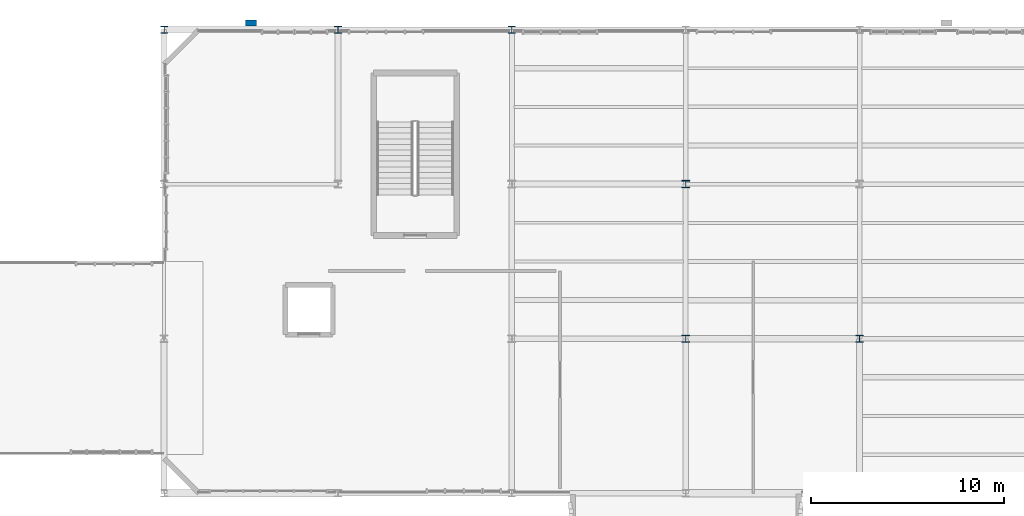
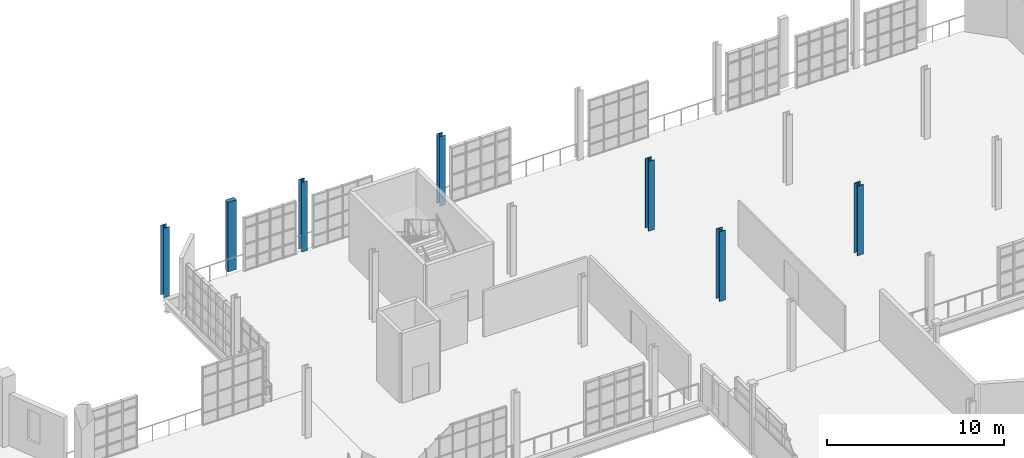
# One storey, part 10 of 122: 7 columns.
"""IFC4 building model written with IfcOpenShell, lengths in metres."""

from ifc_helpers import new_model, si_unit, direction, frame, origin, origin_2d, place, context, subcontext, project, spatial, rectangle, i_section, extrude, material, material_profile, profile_set, type_object, element, save


model = new_model("IFC4")

# Units and contexts
model_context = context("Model", 3, precision=1e-05, world=origin(), true_north=direction((0.0, 1.0)))
body_context = subcontext(model_context, "Body", "Model", "MODEL_VIEW")
ifc_project = project(units=[si_unit("LENGTHUNIT", "METRE"), si_unit("AREAUNIT", "SQUARE_METRE"), si_unit("VOLUMEUNIT", "CUBIC_METRE"), si_unit("PLANEANGLEUNIT", "RADIAN"), si_unit("MASSUNIT", "GRAM", prefix="KILO"), si_unit("THERMODYNAMICTEMPERATUREUNIT", "KELVIN"), si_unit("POWERUNIT", "WATT")], contexts=[model_context])

# Site, building, storey
site_placement = place(None, origin())
site = spatial("IfcSite", under=ifc_project, at=site_placement, CompositionType="ELEMENT")
building_placement = place(site_placement, origin())
building = spatial("IfcBuilding", under=site, at=building_placement, Name="Zelmaris Science Centre", CompositionType="ELEMENT")
storey_placement = place(building_placement, frame((0.0, 0.0, 10.800048828125)))
storey = spatial("IfcBuildingStorey", under=building, at=storey_placement, Name="L02", CompositionType="ELEMENT", Elevation=10.800048828125)

# Columns
ifc_material_1 = material(Name="Steel ASTM A992 Grade 50", Category="steel")
ifc_material_profile_1 = material_profile(ifc_material_1, i_section(OverallWidth=0.39892578125, OverallDepth=0.385986328125, WebThickness=0.02099609375, FlangeThickness=0.033203125, FilletRadius=0.014892578125, at=origin_2d()), Name="W14X176")
ifc_profile_set_1 = profile_set([ifc_material_profile_1], Name="Steel ASTM A992 Grade 50")
column_type_1 = type_object("IfcColumnType", Name="Column C-04 W14X176", PredefinedType="COLUMN", material=ifc_profile_set_1)
for number, where, z_axis, x_axis, name in (
    (1, (81.0, 72.0, 0.0), (0.0, 0.0, 1.0), (1.0, 0.0, 0.0), "Column V5-C-81-72 L02"),
    (2, (81.0, 80.0, 0.0), (0.0, 0.0, 1.0), (1.0, 0.0, 0.0), "Column V5-C-81-80 L02"),
    (3, (90.0, 72.0, 0.0), (0.0, 0.0, 1.0), (1.0, 0.0, 0.0), "Column V5-C-90-72 L02"),
):
    element("IfcColumn", number, at=place(storey_placement, frame(where, z_axis=z_axis, x_axis=x_axis)), inside=storey, type_object=column_type_1, Name=name, PredefinedType="COLUMN", context=body_context, shape_type="SweptSolid", body=[
        extrude(i_section(OverallWidth=0.39892578125, OverallDepth=0.385986328125, WebThickness=0.02099609375, FlangeThickness=0.033203125, FilletRadius=0.014892578125, at=origin_2d()), origin(), (0.0, 0.0, 1.0), 4.800048828125),
    ])
ifc_material_profile_2 = material_profile(ifc_material_1, i_section(OverallWidth=0.367919921875, OverallDepth=0.35595703125, WebThickness=0.01123046875, FlangeThickness=0.01806640625, FilletRadius=0.014892578125, at=origin_2d()), Name="W14X90")
ifc_profile_set_2 = profile_set([ifc_material_profile_2], Name="Steel ASTM A992 Grade 50")
column_type_2 = type_object("IfcColumnType", Name="Column C-07 W14X90", PredefinedType="COLUMN", material=ifc_profile_set_2)
for number, where, z_axis, x_axis, name in (
    (4, (54.0, 88.0, 0.0), (0.0, 0.0, 1.0), (1.0, 0.0, 0.0), "Column V5-C-54-88 L02"),
    (5, (63.0, 88.0, 0.0), (0.0, 0.0, 1.0), (1.0, 0.0, 0.0), "Column V5-C-63-88 L02"),
    (6, (72.0, 88.0, 0.0), (0.0, 0.0, 1.0), (1.0, 0.0, 0.0), "Column V5-C-72-88 L02"),
):
    element("IfcColumn", number, at=place(storey_placement, frame(where, z_axis=z_axis, x_axis=x_axis)), inside=storey, type_object=column_type_2, Name=name, PredefinedType="COLUMN", context=body_context, shape_type="SweptSolid", body=[
        extrude(i_section(OverallWidth=0.367919921875, OverallDepth=0.35595703125, WebThickness=0.01123046875, FlangeThickness=0.01806640625, FilletRadius=0.014892578125, at=origin_2d()), origin(), (0.0, 0.0, 1.0), 4.800048828125),
    ])
ifc_material_2 = material(Name="Yucatan limestone ashlar masonry", Category="masonry")
ifc_material_profile_3 = material_profile(ifc_material_2, rectangle(XDim=0.550048828125, YDim=0.300048828125, at=origin_2d()), Name="PIL-LIM-550X300")
ifc_profile_set_3 = profile_set([ifc_material_profile_3], Name="Yucatan limestone ashlar masonry")
column_type_3 = type_object("IfcColumnType", Name="Pilaster PL-03 PIL-LIM-550X300", PredefinedType="PILASTER", material=ifc_profile_set_3)
column_placement = place(storey_placement, frame((58.5, 88.35009765625, 0.0), z_axis=(0.0, 0.0, 1.0), x_axis=(1.0, 0.0, 0.0)))
element("IfcColumn", 7, at=column_placement, inside=storey, type_object=column_type_3, Name="Limestone pilaster PIL-V5N-1 L02", PredefinedType="PILASTER", context=body_context, shape_type="SweptSolid", body=[
    extrude(rectangle(XDim=0.550048828125, YDim=0.300048828125, at=origin_2d()), origin(), (0.0, 0.0, 1.0), 4.800048828125),
])

save(model, "model.ifc")
